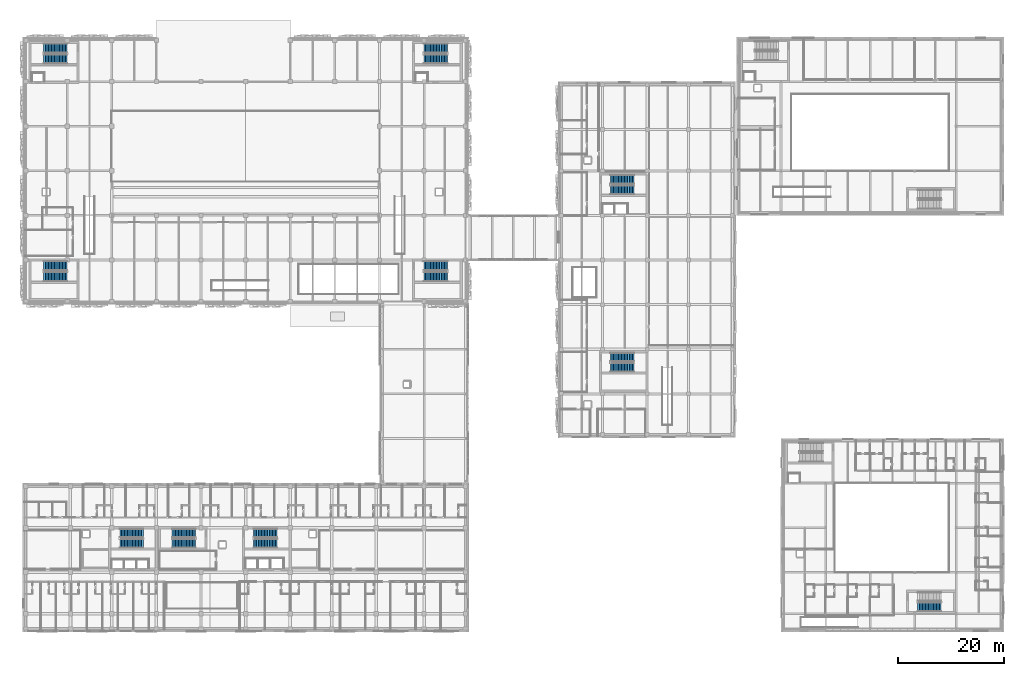
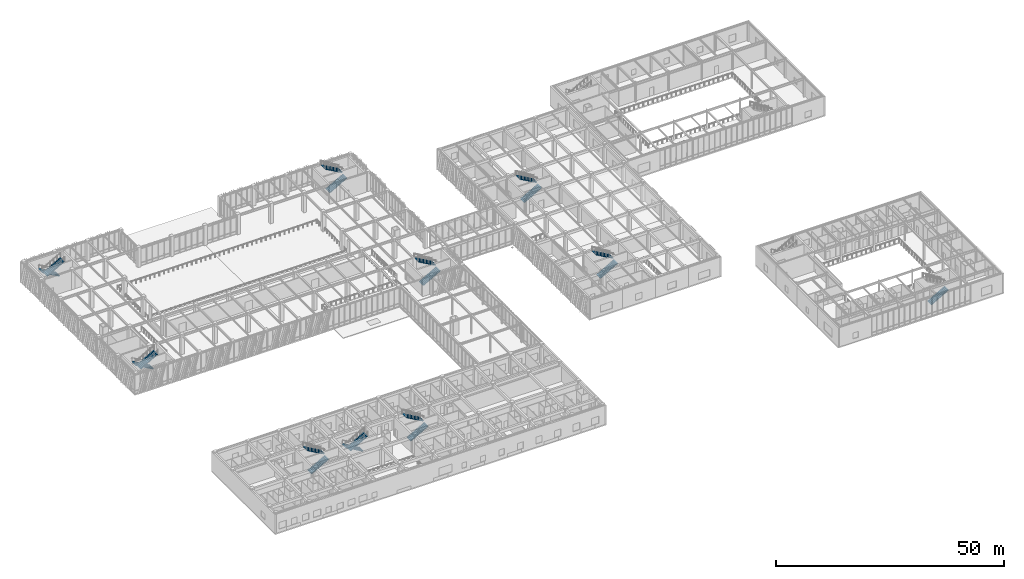
# One storey, part 121 of 139: 19 stair flights, 10 elements without a shape of their own.
"""IFC4 building model written with IfcOpenShell, lengths in metres."""

from ifc_helpers import new_model, si_unit, direction, frame, origin, place, context, subcontext, project, spatial, polyline, outline, extrude, material, type_object, element, aggregate, save


model = new_model("IFC4")

# Units and contexts
model_context = context("Model", 3, precision=1e-05, world=origin(), true_north=direction((0.0, 1.0)))
body_context = subcontext(model_context, "Body", "Model", "MODEL_VIEW")
ifc_project = project(units=[si_unit("LENGTHUNIT", "METRE"), si_unit("AREAUNIT", "SQUARE_METRE"), si_unit("VOLUMEUNIT", "CUBIC_METRE"), si_unit("PLANEANGLEUNIT", "RADIAN"), si_unit("MASSUNIT", "GRAM", prefix="KILO")], contexts=[model_context])

# Site, building, storey
site_placement = place(None, origin())
site = spatial("IfcSite", under=ifc_project, at=site_placement, CompositionType="ELEMENT")
building_placement = place(site_placement, origin())
building = spatial("IfcBuilding", under=site, at=building_placement, Name="Zayran Congress Hotel", CompositionType="ELEMENT")
storey_placement = place(building_placement, frame((0.0, 0.0, 5.39990234375)))
storey = spatial("IfcBuildingStorey", under=building, at=storey_placement, Name="L01", CompositionType="ELEMENT", Elevation=5.39990234375)

# Stair, stair flights
ifc_material = material(Name="Concrete C32/40", Category="concrete")
stair_type_1 = type_object("IfcStairType", Name="TP-STR-1700-54", PredefinedType="USERDEFINED", material=ifc_material)
stair_1_placement = place(storey_placement, origin())
stair_1 = element("IfcStair", 1, at=stair_1_placement, inside=storey, type_object=stair_type_1, Name="L01 ST-01", ObjectType="TWO_RETURN_STAIR", PredefinedType="USERDEFINED")
stair_flight_type_1 = type_object("IfcStairFlightType", Name="TP-STF-1700-54", PredefinedType="STRAIGHT", material=ifc_material)
stair_flight_1_placement = place(storey_placement, frame((26.699951171875, 22.610107421875, 0.0), z_axis=(0.0, 0.0, 1.0), x_axis=(1.0, 0.0, 0.0)))
stair_flight_1 = element("IfcStairFlight", 2, at=stair_flight_1_placement, type_object=stair_flight_type_1, Name="ST-01 flight 1", NumberOfRisers=16, NumberOfTreads=15, PredefinedType="STRAIGHT", RiserHeight=0.16875, TreadLength=0.295, context=body_context, shape_type="SweptSolid", body=[
    extrude(outline(polyline([(0.0, 0.0), (0.0, 0.168701171875), (0.294921875, 0.168701171875), (0.294921875, 0.33740234375), (0.590087890625, 0.33740234375), (0.590087890625, 0.50634765625), (0.885009765625, 0.50634765625), (0.885009765625, 0.675048828125), (1.179931640625, 0.675048828125), (1.179931640625, 0.84375), (1.47509765625, 0.84375), (1.47509765625, 1.012451171875), (1.77001953125, 1.012451171875), (1.77001953125, 1.18115234375), (2.06494140625, 1.18115234375), (2.06494140625, 1.35009765625), (2.360107421875, 1.35009765625), (2.360107421875, 1.518798828125), (2.655029296875, 1.518798828125), (2.655029296875, 1.6875), (2.949951171875, 1.6875), (2.949951171875, 1.856201171875), (3.2451171875, 1.856201171875), (3.2451171875, 2.02490234375), (3.5400390625, 2.02490234375), (3.5400390625, 2.19384765625), (3.8349609375, 2.19384765625), (3.8349609375, 2.362548828125), (4.1298828125, 2.362548828125), (4.1298828125, 2.53125), (4.425048828125, 2.53125), (4.425048828125, 2.699951171875), (4.425048828125, 2.358642578125), (0.302001953125, 0.0), (0.0, 0.0)])), frame((0.0, 0.85009765625, 0.0), z_axis=(0.0, -1.0, 0.0), x_axis=(1.0, 0.0, 0.0)), (0.0, 0.0, 1.0), 1.699951171875),
])
stair_flight_2_placement = place(storey_placement, frame((31.125, 24.550048828125, 2.7001953125), z_axis=(0.0, 0.0, 1.0), x_axis=(-1.0, 0.0, 0.0)))
stair_flight_2 = element("IfcStairFlight", 3, at=stair_flight_2_placement, type_object=stair_flight_type_1, Name="ST-01 flight 2", NumberOfRisers=16, NumberOfTreads=15, PredefinedType="STRAIGHT", RiserHeight=0.16875, TreadLength=0.295, context=body_context, shape_type="SweptSolid", body=[
    extrude(outline(polyline([(0.0, 0.0), (0.0, 0.168701171875), (0.294921875, 0.168701171875), (0.294921875, 0.33740234375), (0.590087890625, 0.33740234375), (0.590087890625, 0.50634765625), (0.885009765625, 0.50634765625), (0.885009765625, 0.675048828125), (1.179931640625, 0.675048828125), (1.179931640625, 0.84375), (1.47509765625, 0.84375), (1.47509765625, 1.012451171875), (1.77001953125, 1.012451171875), (1.77001953125, 1.18115234375), (2.06494140625, 1.18115234375), (2.06494140625, 1.35009765625), (2.360107421875, 1.35009765625), (2.360107421875, 1.518798828125), (2.655029296875, 1.518798828125), (2.655029296875, 1.6875), (2.949951171875, 1.6875), (2.949951171875, 1.856201171875), (3.2451171875, 1.856201171875), (3.2451171875, 2.02490234375), (3.5400390625, 2.02490234375), (3.5400390625, 2.19384765625), (3.8349609375, 2.19384765625), (3.8349609375, 2.362548828125), (4.1298828125, 2.362548828125), (4.1298828125, 2.53125), (4.425048828125, 2.53125), (4.425048828125, 2.699951171875), (4.425048828125, 2.358642578125), (0.302001953125, 0.0), (0.0, 0.0)])), frame((0.0, 0.85009765625, 0.0), z_axis=(0.0, -1.0, 0.0), x_axis=(1.0, 0.0, 0.0)), (0.0, 0.0, 1.0), 1.699951171875),
])
aggregate(stair_1, [stair_flight_1, stair_flight_2])

stair_2_placement = place(storey_placement, origin())
stair_2 = element("IfcStair", 4, at=stair_2_placement, inside=storey, type_object=stair_type_1, Name="L01 ST-02", ObjectType="TWO_RETURN_STAIR", PredefinedType="USERDEFINED")
stair_flight_3_placement = place(storey_placement, frame((51.89990234375, 22.610107421875, 0.0), z_axis=(0.0, 0.0, 1.0), x_axis=(1.0, 0.0, 0.0)))
stair_flight_3 = element("IfcStairFlight", 5, at=stair_flight_3_placement, type_object=stair_flight_type_1, Name="ST-02 flight 1", NumberOfRisers=16, NumberOfTreads=15, PredefinedType="STRAIGHT", RiserHeight=0.16875, TreadLength=0.295, context=body_context, shape_type="SweptSolid", body=[
    extrude(outline(polyline([(0.0, 0.0), (0.0, 0.168701171875), (0.294921875, 0.168701171875), (0.294921875, 0.33740234375), (0.590087890625, 0.33740234375), (0.590087890625, 0.50634765625), (0.885009765625, 0.50634765625), (0.885009765625, 0.675048828125), (1.179931640625, 0.675048828125), (1.179931640625, 0.84375), (1.47509765625, 0.84375), (1.47509765625, 1.012451171875), (1.77001953125, 1.012451171875), (1.77001953125, 1.18115234375), (2.06494140625, 1.18115234375), (2.06494140625, 1.35009765625), (2.360107421875, 1.35009765625), (2.360107421875, 1.518798828125), (2.655029296875, 1.518798828125), (2.655029296875, 1.6875), (2.949951171875, 1.6875), (2.949951171875, 1.856201171875), (3.2451171875, 1.856201171875), (3.2451171875, 2.02490234375), (3.5400390625, 2.02490234375), (3.5400390625, 2.19384765625), (3.8349609375, 2.19384765625), (3.8349609375, 2.362548828125), (4.1298828125, 2.362548828125), (4.1298828125, 2.53125), (4.425048828125, 2.53125), (4.425048828125, 2.699951171875), (4.425048828125, 2.358642578125), (0.302001953125, 0.0), (0.0, 0.0)])), frame((0.0, 0.85009765625, 0.0), z_axis=(0.0, -1.0, 0.0), x_axis=(1.0, 0.0, 0.0)), (0.0, 0.0, 1.0), 1.699951171875),
])
stair_flight_4_placement = place(storey_placement, frame((56.324951171875, 24.550048828125, 2.7001953125), z_axis=(0.0, 0.0, 1.0), x_axis=(-1.0, 0.0, 0.0)))
stair_flight_4 = element("IfcStairFlight", 6, at=stair_flight_4_placement, type_object=stair_flight_type_1, Name="ST-02 flight 2", NumberOfRisers=16, NumberOfTreads=15, PredefinedType="STRAIGHT", RiserHeight=0.16875, TreadLength=0.295, context=body_context, shape_type="SweptSolid", body=[
    extrude(outline(polyline([(0.0, 0.0), (0.0, 0.168701171875), (0.294921875, 0.168701171875), (0.294921875, 0.33740234375), (0.590087890625, 0.33740234375), (0.590087890625, 0.50634765625), (0.885009765625, 0.50634765625), (0.885009765625, 0.675048828125), (1.179931640625, 0.675048828125), (1.179931640625, 0.84375), (1.47509765625, 0.84375), (1.47509765625, 1.012451171875), (1.77001953125, 1.012451171875), (1.77001953125, 1.18115234375), (2.06494140625, 1.18115234375), (2.06494140625, 1.35009765625), (2.360107421875, 1.35009765625), (2.360107421875, 1.518798828125), (2.655029296875, 1.518798828125), (2.655029296875, 1.6875), (2.949951171875, 1.6875), (2.949951171875, 1.856201171875), (3.2451171875, 1.856201171875), (3.2451171875, 2.02490234375), (3.5400390625, 2.02490234375), (3.5400390625, 2.19384765625), (3.8349609375, 2.19384765625), (3.8349609375, 2.362548828125), (4.1298828125, 2.362548828125), (4.1298828125, 2.53125), (4.425048828125, 2.53125), (4.425048828125, 2.699951171875), (4.425048828125, 2.358642578125), (0.302001953125, 0.0), (0.0, 0.0)])), frame((0.0, 0.85009765625, 0.0), z_axis=(0.0, -1.0, 0.0), x_axis=(1.0, 0.0, 0.0)), (0.0, 0.0, 1.0), 1.699951171875),
])
aggregate(stair_2, [stair_flight_3, stair_flight_4])

stair_3_placement = place(storey_placement, origin())
stair_3 = element("IfcStair", 7, at=stair_3_placement, inside=storey, type_object=stair_type_1, Name="L01 ST-13", ObjectType="TWO_RETURN_STAIR", PredefinedType="USERDEFINED")
stair_flight_5_placement = place(storey_placement, frame((41.0, 24.550048828125, 0.0), z_axis=(0.0, 0.0, 1.0), x_axis=(-1.0, 0.0, 0.0)))
stair_flight_5 = element("IfcStairFlight", 8, at=stair_flight_5_placement, type_object=stair_flight_type_1, Name="ST-13 flight 1", NumberOfRisers=16, NumberOfTreads=15, PredefinedType="STRAIGHT", RiserHeight=0.16875, TreadLength=0.295, context=body_context, shape_type="SweptSolid", body=[
    extrude(outline(polyline([(0.0, 0.0), (0.0, 0.168701171875), (0.294921875, 0.168701171875), (0.294921875, 0.33740234375), (0.590087890625, 0.33740234375), (0.590087890625, 0.50634765625), (0.885009765625, 0.50634765625), (0.885009765625, 0.675048828125), (1.179931640625, 0.675048828125), (1.179931640625, 0.84375), (1.47509765625, 0.84375), (1.47509765625, 1.012451171875), (1.77001953125, 1.012451171875), (1.77001953125, 1.18115234375), (2.06494140625, 1.18115234375), (2.06494140625, 1.35009765625), (2.360107421875, 1.35009765625), (2.360107421875, 1.518798828125), (2.655029296875, 1.518798828125), (2.655029296875, 1.6875), (2.949951171875, 1.6875), (2.949951171875, 1.856201171875), (3.2451171875, 1.856201171875), (3.2451171875, 2.02490234375), (3.5400390625, 2.02490234375), (3.5400390625, 2.19384765625), (3.8349609375, 2.19384765625), (3.8349609375, 2.362548828125), (4.1298828125, 2.362548828125), (4.1298828125, 2.53125), (4.425048828125, 2.53125), (4.425048828125, 2.699951171875), (4.425048828125, 2.358642578125), (0.302001953125, 0.0), (0.0, 0.0)])), frame((0.0, 0.85009765625, 0.0), z_axis=(0.0, -1.0, 0.0), x_axis=(1.0, 0.0, 0.0)), (0.0, 0.0, 1.0), 1.699951171875),
])
stair_flight_6_placement = place(storey_placement, frame((36.574951171875, 22.610107421875, 2.7001953125), z_axis=(0.0, 0.0, 1.0), x_axis=(1.0, 0.0, 0.0)))
stair_flight_6 = element("IfcStairFlight", 9, at=stair_flight_6_placement, type_object=stair_flight_type_1, Name="ST-13 flight 2", NumberOfRisers=16, NumberOfTreads=15, PredefinedType="STRAIGHT", RiserHeight=0.16875, TreadLength=0.295, context=body_context, shape_type="SweptSolid", body=[
    extrude(outline(polyline([(0.0, 0.0), (0.0, 0.168701171875), (0.294921875, 0.168701171875), (0.294921875, 0.33740234375), (0.590087890625, 0.33740234375), (0.590087890625, 0.50634765625), (0.885009765625, 0.50634765625), (0.885009765625, 0.675048828125), (1.179931640625, 0.675048828125), (1.179931640625, 0.84375), (1.47509765625, 0.84375), (1.47509765625, 1.012451171875), (1.77001953125, 1.012451171875), (1.77001953125, 1.18115234375), (2.06494140625, 1.18115234375), (2.06494140625, 1.35009765625), (2.360107421875, 1.35009765625), (2.360107421875, 1.518798828125), (2.655029296875, 1.518798828125), (2.655029296875, 1.6875), (2.949951171875, 1.6875), (2.949951171875, 1.856201171875), (3.2451171875, 1.856201171875), (3.2451171875, 2.02490234375), (3.5400390625, 2.02490234375), (3.5400390625, 2.19384765625), (3.8349609375, 2.19384765625), (3.8349609375, 2.362548828125), (4.1298828125, 2.362548828125), (4.1298828125, 2.53125), (4.425048828125, 2.53125), (4.425048828125, 2.699951171875), (4.425048828125, 2.358642578125), (0.302001953125, 0.0), (0.0, 0.0)])), frame((0.0, 0.85009765625, 0.0), z_axis=(0.0, -1.0, 0.0), x_axis=(1.0, 0.0, 0.0)), (0.0, 0.0, 1.0), 1.699951171875),
])
aggregate(stair_3, [stair_flight_5, stair_flight_6])

stair_4_placement = place(storey_placement, origin())
stair_4 = element("IfcStair", 10, at=stair_4_placement, inside=storey, type_object=stair_type_1, Name="L01 ST-07", ObjectType="TWO_RETURN_STAIR", PredefinedType="USERDEFINED")
stair_flight_7_placement = place(storey_placement, frame((119.10009765625, 89.2099609375, 0.0), z_axis=(0.0, 0.0, 1.0), x_axis=(1.0, 0.0, 0.0)))
stair_flight_7 = element("IfcStairFlight", 11, at=stair_flight_7_placement, type_object=stair_flight_type_1, Name="ST-07 flight 1", NumberOfRisers=16, NumberOfTreads=15, PredefinedType="STRAIGHT", RiserHeight=0.16875, TreadLength=0.295, context=body_context, shape_type="SweptSolid", body=[
    extrude(outline(polyline([(0.0, 0.0), (0.0, 0.168701171875), (0.294921875, 0.168701171875), (0.294921875, 0.33740234375), (0.590087890625, 0.33740234375), (0.590087890625, 0.50634765625), (0.885009765625, 0.50634765625), (0.885009765625, 0.675048828125), (1.179931640625, 0.675048828125), (1.179931640625, 0.84375), (1.47509765625, 0.84375), (1.47509765625, 1.012451171875), (1.77001953125, 1.012451171875), (1.77001953125, 1.18115234375), (2.06494140625, 1.18115234375), (2.06494140625, 1.35009765625), (2.360107421875, 1.35009765625), (2.360107421875, 1.518798828125), (2.655029296875, 1.518798828125), (2.655029296875, 1.6875), (2.949951171875, 1.6875), (2.949951171875, 1.856201171875), (3.2451171875, 1.856201171875), (3.2451171875, 2.02490234375), (3.5400390625, 2.02490234375), (3.5400390625, 2.19384765625), (3.8349609375, 2.19384765625), (3.8349609375, 2.362548828125), (4.1298828125, 2.362548828125), (4.1298828125, 2.53125), (4.425048828125, 2.53125), (4.425048828125, 2.699951171875), (4.425048828125, 2.358642578125), (0.302001953125, 0.0), (0.0, 0.0)])), frame((0.0, 0.85009765625, 0.0), z_axis=(0.0, -1.0, 0.0), x_axis=(1.0, 0.0, 0.0)), (0.0, 0.0, 1.0), 1.699951171875),
])
stair_flight_8_placement = place(storey_placement, frame((123.52490234375, 91.14990234375, 2.7001953125), z_axis=(0.0, 0.0, 1.0), x_axis=(-1.0, 0.0, 0.0)))
stair_flight_8 = element("IfcStairFlight", 12, at=stair_flight_8_placement, type_object=stair_flight_type_1, Name="ST-07 flight 2", NumberOfRisers=16, NumberOfTreads=15, PredefinedType="STRAIGHT", RiserHeight=0.16875, TreadLength=0.295, context=body_context, shape_type="SweptSolid", body=[
    extrude(outline(polyline([(0.0, 0.0), (0.0, 0.168701171875), (0.294921875, 0.168701171875), (0.294921875, 0.33740234375), (0.590087890625, 0.33740234375), (0.590087890625, 0.50634765625), (0.885009765625, 0.50634765625), (0.885009765625, 0.675048828125), (1.179931640625, 0.675048828125), (1.179931640625, 0.84375), (1.47509765625, 0.84375), (1.47509765625, 1.012451171875), (1.77001953125, 1.012451171875), (1.77001953125, 1.18115234375), (2.06494140625, 1.18115234375), (2.06494140625, 1.35009765625), (2.360107421875, 1.35009765625), (2.360107421875, 1.518798828125), (2.655029296875, 1.518798828125), (2.655029296875, 1.6875), (2.949951171875, 1.6875), (2.949951171875, 1.856201171875), (3.2451171875, 1.856201171875), (3.2451171875, 2.02490234375), (3.5400390625, 2.02490234375), (3.5400390625, 2.19384765625), (3.8349609375, 2.19384765625), (3.8349609375, 2.362548828125), (4.1298828125, 2.362548828125), (4.1298828125, 2.53125), (4.425048828125, 2.53125), (4.425048828125, 2.699951171875), (4.425048828125, 2.358642578125), (0.302001953125, 0.0), (0.0, 0.0)])), frame((0.0, 0.85009765625, 0.0), z_axis=(0.0, -1.0, 0.0), x_axis=(1.0, 0.0, 0.0)), (0.0, 0.0, 1.0), 1.699951171875),
])
aggregate(stair_4, [stair_flight_7, stair_flight_8])

stair_5_placement = place(storey_placement, origin())
stair_5 = element("IfcStair", 13, at=stair_5_placement, inside=storey, type_object=stair_type_1, Name="L01 ST-08", ObjectType="TWO_RETURN_STAIR", PredefinedType="USERDEFINED")
stair_flight_9_placement = place(storey_placement, frame((119.10009765625, 55.760009765625, 0.0), z_axis=(0.0, 0.0, 1.0), x_axis=(1.0, 0.0, 0.0)))
stair_flight_9 = element("IfcStairFlight", 14, at=stair_flight_9_placement, type_object=stair_flight_type_1, Name="ST-08 flight 1", NumberOfRisers=16, NumberOfTreads=15, PredefinedType="STRAIGHT", RiserHeight=0.16875, TreadLength=0.295, context=body_context, shape_type="SweptSolid", body=[
    extrude(outline(polyline([(0.0, 0.0), (0.0, 0.168701171875), (0.294921875, 0.168701171875), (0.294921875, 0.33740234375), (0.590087890625, 0.33740234375), (0.590087890625, 0.50634765625), (0.885009765625, 0.50634765625), (0.885009765625, 0.675048828125), (1.179931640625, 0.675048828125), (1.179931640625, 0.84375), (1.47509765625, 0.84375), (1.47509765625, 1.012451171875), (1.77001953125, 1.012451171875), (1.77001953125, 1.18115234375), (2.06494140625, 1.18115234375), (2.06494140625, 1.35009765625), (2.360107421875, 1.35009765625), (2.360107421875, 1.518798828125), (2.655029296875, 1.518798828125), (2.655029296875, 1.6875), (2.949951171875, 1.6875), (2.949951171875, 1.856201171875), (3.2451171875, 1.856201171875), (3.2451171875, 2.02490234375), (3.5400390625, 2.02490234375), (3.5400390625, 2.19384765625), (3.8349609375, 2.19384765625), (3.8349609375, 2.362548828125), (4.1298828125, 2.362548828125), (4.1298828125, 2.53125), (4.425048828125, 2.53125), (4.425048828125, 2.699951171875), (4.425048828125, 2.358642578125), (0.302001953125, 0.0), (0.0, 0.0)])), frame((0.0, 0.85009765625, 0.0), z_axis=(0.0, -1.0, 0.0), x_axis=(1.0, 0.0, 0.0)), (0.0, 0.0, 1.0), 1.699951171875),
])
stair_flight_10_placement = place(storey_placement, frame((123.52490234375, 57.699951171875, 2.7001953125), z_axis=(0.0, 0.0, 1.0), x_axis=(-1.0, 0.0, 0.0)))
stair_flight_10 = element("IfcStairFlight", 15, at=stair_flight_10_placement, type_object=stair_flight_type_1, Name="ST-08 flight 2", NumberOfRisers=16, NumberOfTreads=15, PredefinedType="STRAIGHT", RiserHeight=0.16875, TreadLength=0.295, context=body_context, shape_type="SweptSolid", body=[
    extrude(outline(polyline([(0.0, 0.0), (0.0, 0.168701171875), (0.294921875, 0.168701171875), (0.294921875, 0.33740234375), (0.590087890625, 0.33740234375), (0.590087890625, 0.50634765625), (0.885009765625, 0.50634765625), (0.885009765625, 0.675048828125), (1.179931640625, 0.675048828125), (1.179931640625, 0.84375), (1.47509765625, 0.84375), (1.47509765625, 1.012451171875), (1.77001953125, 1.012451171875), (1.77001953125, 1.18115234375), (2.06494140625, 1.18115234375), (2.06494140625, 1.35009765625), (2.360107421875, 1.35009765625), (2.360107421875, 1.518798828125), (2.655029296875, 1.518798828125), (2.655029296875, 1.6875), (2.949951171875, 1.6875), (2.949951171875, 1.856201171875), (3.2451171875, 1.856201171875), (3.2451171875, 2.02490234375), (3.5400390625, 2.02490234375), (3.5400390625, 2.19384765625), (3.8349609375, 2.19384765625), (3.8349609375, 2.362548828125), (4.1298828125, 2.362548828125), (4.1298828125, 2.53125), (4.425048828125, 2.53125), (4.425048828125, 2.699951171875), (4.425048828125, 2.358642578125), (0.302001953125, 0.0), (0.0, 0.0)])), frame((0.0, 0.85009765625, 0.0), z_axis=(0.0, -1.0, 0.0), x_axis=(1.0, 0.0, 0.0)), (0.0, 0.0, 1.0), 1.699951171875),
])
aggregate(stair_5, [stair_flight_9, stair_flight_10])

# Stair, stair flight
stair_6_placement = place(storey_placement, origin())
stair_6 = element("IfcStair", 16, at=stair_6_placement, inside=storey, type_object=stair_type_1, Name="L01 ST-12", ObjectType="TWO_RETURN_STAIR", PredefinedType="USERDEFINED")
stair_flight_11_placement = place(storey_placement, frame((176.949951171875, 10.64990234375, 0.0), z_axis=(0.0, 0.0, 1.0), x_axis=(1.0, 0.0, 0.0)))
stair_flight_11 = element("IfcStairFlight", 17, at=stair_flight_11_placement, type_object=stair_flight_type_1, Name="ST-12 flight 1", NumberOfRisers=16, NumberOfTreads=15, PredefinedType="STRAIGHT", RiserHeight=0.16875, TreadLength=0.295, context=body_context, shape_type="SweptSolid", body=[
    extrude(outline(polyline([(0.0, 0.0), (0.0, 0.168701171875), (0.294921875, 0.168701171875), (0.294921875, 0.33740234375), (0.590087890625, 0.33740234375), (0.590087890625, 0.50634765625), (0.885009765625, 0.50634765625), (0.885009765625, 0.675048828125), (1.179931640625, 0.675048828125), (1.179931640625, 0.84375), (1.47509765625, 0.84375), (1.47509765625, 1.012451171875), (1.77001953125, 1.012451171875), (1.77001953125, 1.18115234375), (2.06494140625, 1.18115234375), (2.06494140625, 1.35009765625), (2.360107421875, 1.35009765625), (2.360107421875, 1.518798828125), (2.655029296875, 1.518798828125), (2.655029296875, 1.6875), (2.949951171875, 1.6875), (2.949951171875, 1.856201171875), (3.2451171875, 1.856201171875), (3.2451171875, 2.02490234375), (3.5400390625, 2.02490234375), (3.5400390625, 2.19384765625), (3.8349609375, 2.19384765625), (3.8349609375, 2.362548828125), (4.1298828125, 2.362548828125), (4.1298828125, 2.53125), (4.425048828125, 2.53125), (4.425048828125, 2.699951171875), (4.425048828125, 2.358642578125), (0.302001953125, 0.0), (0.0, 0.0)])), frame((0.0, 0.85009765625, 0.0), z_axis=(0.0, -1.0, 0.0), x_axis=(1.0, 0.0, 0.0)), (0.0, 0.0, 1.0), 1.699951171875),
])
aggregate(stair_6, [stair_flight_11])

# Stair, stair flights
stair_type_2 = type_object("IfcStairType", Name="TP-STR-1800-54", PredefinedType="USERDEFINED", material=ifc_material)
stair_7_placement = place(storey_placement, origin())
stair_7 = element("IfcStair", 18, at=stair_7_placement, inside=storey, type_object=stair_type_2, Name="L01 ST-03", ObjectType="TWO_RETURN_STAIR", PredefinedType="USERDEFINED")
stair_flight_type_2 = type_object("IfcStairFlightType", Name="TP-STF-1800-54", PredefinedType="STRAIGHT", material=ifc_material)
stair_flight_12_placement = place(storey_placement, frame((16.800048828125, 115.89990234375, 0.0), z_axis=(0.0, 0.0, 1.0), x_axis=(-1.0, 0.0, 0.0)))
stair_flight_12 = element("IfcStairFlight", 19, at=stair_flight_12_placement, type_object=stair_flight_type_2, Name="ST-03 flight 1", NumberOfRisers=16, NumberOfTreads=15, PredefinedType="STRAIGHT", RiserHeight=0.16875, TreadLength=0.295, context=body_context, shape_type="SweptSolid", body=[
    extrude(outline(polyline([(0.0, 0.0), (0.0, 0.168701171875), (0.294921875, 0.168701171875), (0.294921875, 0.33740234375), (0.590087890625, 0.33740234375), (0.590087890625, 0.50634765625), (0.885009765625, 0.50634765625), (0.885009765625, 0.675048828125), (1.179931640625, 0.675048828125), (1.179931640625, 0.84375), (1.47509765625, 0.84375), (1.47509765625, 1.012451171875), (1.77001953125, 1.012451171875), (1.77001953125, 1.18115234375), (2.06494140625, 1.18115234375), (2.06494140625, 1.35009765625), (2.360107421875, 1.35009765625), (2.360107421875, 1.518798828125), (2.655029296875, 1.518798828125), (2.655029296875, 1.6875), (2.949951171875, 1.6875), (2.949951171875, 1.856201171875), (3.2451171875, 1.856201171875), (3.2451171875, 2.02490234375), (3.5400390625, 2.02490234375), (3.5400390625, 2.19384765625), (3.8349609375, 2.19384765625), (3.8349609375, 2.362548828125), (4.1298828125, 2.362548828125), (4.1298828125, 2.53125), (4.425048828125, 2.53125), (4.425048828125, 2.699951171875), (4.425048828125, 2.358642578125), (0.302001953125, 0.0), (0.0, 0.0)])), frame((0.0, 0.89990234375, 0.0), z_axis=(0.0, -1.0, 0.0), x_axis=(1.0, 0.0, 0.0)), (0.0, 0.0, 1.0), 1.800048828125),
])
stair_flight_13_placement = place(storey_placement, frame((12.375, 113.860107421875, 2.7001953125), z_axis=(0.0, 0.0, 1.0), x_axis=(1.0, 0.0, 0.0)))
stair_flight_13 = element("IfcStairFlight", 20, at=stair_flight_13_placement, type_object=stair_flight_type_2, Name="ST-03 flight 2", NumberOfRisers=16, NumberOfTreads=15, PredefinedType="STRAIGHT", RiserHeight=0.16875, TreadLength=0.295, context=body_context, shape_type="SweptSolid", body=[
    extrude(outline(polyline([(0.0, 0.0), (0.0, 0.168701171875), (0.294921875, 0.168701171875), (0.294921875, 0.33740234375), (0.590087890625, 0.33740234375), (0.590087890625, 0.50634765625), (0.885009765625, 0.50634765625), (0.885009765625, 0.675048828125), (1.179931640625, 0.675048828125), (1.179931640625, 0.84375), (1.47509765625, 0.84375), (1.47509765625, 1.012451171875), (1.77001953125, 1.012451171875), (1.77001953125, 1.18115234375), (2.06494140625, 1.18115234375), (2.06494140625, 1.35009765625), (2.360107421875, 1.35009765625), (2.360107421875, 1.518798828125), (2.655029296875, 1.518798828125), (2.655029296875, 1.6875), (2.949951171875, 1.6875), (2.949951171875, 1.856201171875), (3.2451171875, 1.856201171875), (3.2451171875, 2.02490234375), (3.5400390625, 2.02490234375), (3.5400390625, 2.19384765625), (3.8349609375, 2.19384765625), (3.8349609375, 2.362548828125), (4.1298828125, 2.362548828125), (4.1298828125, 2.53125), (4.425048828125, 2.53125), (4.425048828125, 2.699951171875), (4.425048828125, 2.358642578125), (0.302001953125, 0.0), (0.0, 0.0)])), frame((0.0, 0.89990234375, 0.0), z_axis=(0.0, -1.0, 0.0), x_axis=(1.0, 0.0, 0.0)), (0.0, 0.0, 1.0), 1.800048828125),
])
aggregate(stair_7, [stair_flight_12, stair_flight_13])

stair_8_placement = place(storey_placement, origin())
stair_8 = element("IfcStair", 21, at=stair_8_placement, inside=storey, type_object=stair_type_2, Name="L01 ST-04", ObjectType="TWO_RETURN_STAIR", PredefinedType="USERDEFINED")
stair_flight_14_placement = place(storey_placement, frame((84.0, 113.860107421875, 0.0), z_axis=(0.0, 0.0, 1.0), x_axis=(1.0, 0.0, 0.0)))
stair_flight_14 = element("IfcStairFlight", 22, at=stair_flight_14_placement, type_object=stair_flight_type_2, Name="ST-04 flight 1", NumberOfRisers=16, NumberOfTreads=15, PredefinedType="STRAIGHT", RiserHeight=0.16875, TreadLength=0.295, context=body_context, shape_type="SweptSolid", body=[
    extrude(outline(polyline([(0.0, 0.0), (0.0, 0.168701171875), (0.294921875, 0.168701171875), (0.294921875, 0.33740234375), (0.590087890625, 0.33740234375), (0.590087890625, 0.50634765625), (0.885009765625, 0.50634765625), (0.885009765625, 0.675048828125), (1.179931640625, 0.675048828125), (1.179931640625, 0.84375), (1.47509765625, 0.84375), (1.47509765625, 1.012451171875), (1.77001953125, 1.012451171875), (1.77001953125, 1.18115234375), (2.06494140625, 1.18115234375), (2.06494140625, 1.35009765625), (2.360107421875, 1.35009765625), (2.360107421875, 1.518798828125), (2.655029296875, 1.518798828125), (2.655029296875, 1.6875), (2.949951171875, 1.6875), (2.949951171875, 1.856201171875), (3.2451171875, 1.856201171875), (3.2451171875, 2.02490234375), (3.5400390625, 2.02490234375), (3.5400390625, 2.19384765625), (3.8349609375, 2.19384765625), (3.8349609375, 2.362548828125), (4.1298828125, 2.362548828125), (4.1298828125, 2.53125), (4.425048828125, 2.53125), (4.425048828125, 2.699951171875), (4.425048828125, 2.358642578125), (0.302001953125, 0.0), (0.0, 0.0)])), frame((0.0, 0.89990234375, 0.0), z_axis=(0.0, -1.0, 0.0), x_axis=(1.0, 0.0, 0.0)), (0.0, 0.0, 1.0), 1.800048828125),
])
stair_flight_15_placement = place(storey_placement, frame((88.425048828125, 115.89990234375, 2.7001953125), z_axis=(0.0, 0.0, 1.0), x_axis=(-1.0, 0.0, 0.0)))
stair_flight_15 = element("IfcStairFlight", 23, at=stair_flight_15_placement, type_object=stair_flight_type_2, Name="ST-04 flight 2", NumberOfRisers=16, NumberOfTreads=15, PredefinedType="STRAIGHT", RiserHeight=0.16875, TreadLength=0.295, context=body_context, shape_type="SweptSolid", body=[
    extrude(outline(polyline([(0.0, 0.0), (0.0, 0.168701171875), (0.294921875, 0.168701171875), (0.294921875, 0.33740234375), (0.590087890625, 0.33740234375), (0.590087890625, 0.50634765625), (0.885009765625, 0.50634765625), (0.885009765625, 0.675048828125), (1.179931640625, 0.675048828125), (1.179931640625, 0.84375), (1.47509765625, 0.84375), (1.47509765625, 1.012451171875), (1.77001953125, 1.012451171875), (1.77001953125, 1.18115234375), (2.06494140625, 1.18115234375), (2.06494140625, 1.35009765625), (2.360107421875, 1.35009765625), (2.360107421875, 1.518798828125), (2.655029296875, 1.518798828125), (2.655029296875, 1.6875), (2.949951171875, 1.6875), (2.949951171875, 1.856201171875), (3.2451171875, 1.856201171875), (3.2451171875, 2.02490234375), (3.5400390625, 2.02490234375), (3.5400390625, 2.19384765625), (3.8349609375, 2.19384765625), (3.8349609375, 2.362548828125), (4.1298828125, 2.362548828125), (4.1298828125, 2.53125), (4.425048828125, 2.53125), (4.425048828125, 2.699951171875), (4.425048828125, 2.358642578125), (0.302001953125, 0.0), (0.0, 0.0)])), frame((0.0, 0.89990234375, 0.0), z_axis=(0.0, -1.0, 0.0), x_axis=(1.0, 0.0, 0.0)), (0.0, 0.0, 1.0), 1.800048828125),
])
aggregate(stair_8, [stair_flight_14, stair_flight_15])

stair_9_placement = place(storey_placement, origin())
stair_9 = element("IfcStair", 24, at=stair_9_placement, inside=storey, type_object=stair_type_2, Name="L01 ST-05", ObjectType="TWO_RETURN_STAIR", PredefinedType="USERDEFINED")
stair_flight_16_placement = place(storey_placement, frame((16.800048828125, 74.89990234375, 0.0), z_axis=(0.0, 0.0, 1.0), x_axis=(-1.0, 0.0, 0.0)))
stair_flight_16 = element("IfcStairFlight", 25, at=stair_flight_16_placement, type_object=stair_flight_type_2, Name="ST-05 flight 1", NumberOfRisers=16, NumberOfTreads=15, PredefinedType="STRAIGHT", RiserHeight=0.16875, TreadLength=0.295, context=body_context, shape_type="SweptSolid", body=[
    extrude(outline(polyline([(0.0, 0.0), (0.0, 0.168701171875), (0.294921875, 0.168701171875), (0.294921875, 0.33740234375), (0.590087890625, 0.33740234375), (0.590087890625, 0.50634765625), (0.885009765625, 0.50634765625), (0.885009765625, 0.675048828125), (1.179931640625, 0.675048828125), (1.179931640625, 0.84375), (1.47509765625, 0.84375), (1.47509765625, 1.012451171875), (1.77001953125, 1.012451171875), (1.77001953125, 1.18115234375), (2.06494140625, 1.18115234375), (2.06494140625, 1.35009765625), (2.360107421875, 1.35009765625), (2.360107421875, 1.518798828125), (2.655029296875, 1.518798828125), (2.655029296875, 1.6875), (2.949951171875, 1.6875), (2.949951171875, 1.856201171875), (3.2451171875, 1.856201171875), (3.2451171875, 2.02490234375), (3.5400390625, 2.02490234375), (3.5400390625, 2.19384765625), (3.8349609375, 2.19384765625), (3.8349609375, 2.362548828125), (4.1298828125, 2.362548828125), (4.1298828125, 2.53125), (4.425048828125, 2.53125), (4.425048828125, 2.699951171875), (4.425048828125, 2.358642578125), (0.302001953125, 0.0), (0.0, 0.0)])), frame((0.0, 0.89990234375, 0.0), z_axis=(0.0, -1.0, 0.0), x_axis=(1.0, 0.0, 0.0)), (0.0, 0.0, 1.0), 1.800048828125),
])
stair_flight_17_placement = place(storey_placement, frame((12.375, 72.860107421875, 2.7001953125), z_axis=(0.0, 0.0, 1.0), x_axis=(1.0, 0.0, 0.0)))
stair_flight_17 = element("IfcStairFlight", 26, at=stair_flight_17_placement, type_object=stair_flight_type_2, Name="ST-05 flight 2", NumberOfRisers=16, NumberOfTreads=15, PredefinedType="STRAIGHT", RiserHeight=0.16875, TreadLength=0.295, context=body_context, shape_type="SweptSolid", body=[
    extrude(outline(polyline([(0.0, 0.0), (0.0, 0.168701171875), (0.294921875, 0.168701171875), (0.294921875, 0.33740234375), (0.590087890625, 0.33740234375), (0.590087890625, 0.50634765625), (0.885009765625, 0.50634765625), (0.885009765625, 0.675048828125), (1.179931640625, 0.675048828125), (1.179931640625, 0.84375), (1.47509765625, 0.84375), (1.47509765625, 1.012451171875), (1.77001953125, 1.012451171875), (1.77001953125, 1.18115234375), (2.06494140625, 1.18115234375), (2.06494140625, 1.35009765625), (2.360107421875, 1.35009765625), (2.360107421875, 1.518798828125), (2.655029296875, 1.518798828125), (2.655029296875, 1.6875), (2.949951171875, 1.6875), (2.949951171875, 1.856201171875), (3.2451171875, 1.856201171875), (3.2451171875, 2.02490234375), (3.5400390625, 2.02490234375), (3.5400390625, 2.19384765625), (3.8349609375, 2.19384765625), (3.8349609375, 2.362548828125), (4.1298828125, 2.362548828125), (4.1298828125, 2.53125), (4.425048828125, 2.53125), (4.425048828125, 2.699951171875), (4.425048828125, 2.358642578125), (0.302001953125, 0.0), (0.0, 0.0)])), frame((0.0, 0.89990234375, 0.0), z_axis=(0.0, -1.0, 0.0), x_axis=(1.0, 0.0, 0.0)), (0.0, 0.0, 1.0), 1.800048828125),
])
aggregate(stair_9, [stair_flight_16, stair_flight_17])

stair_10_placement = place(storey_placement, origin())
stair_10 = element("IfcStair", 27, at=stair_10_placement, inside=storey, type_object=stair_type_2, Name="L01 ST-06", ObjectType="TWO_RETURN_STAIR", PredefinedType="USERDEFINED")
stair_flight_18_placement = place(storey_placement, frame((84.0, 72.860107421875, 0.0), z_axis=(0.0, 0.0, 1.0), x_axis=(1.0, 0.0, 0.0)))
stair_flight_18 = element("IfcStairFlight", 28, at=stair_flight_18_placement, type_object=stair_flight_type_2, Name="ST-06 flight 1", NumberOfRisers=16, NumberOfTreads=15, PredefinedType="STRAIGHT", RiserHeight=0.16875, TreadLength=0.295, context=body_context, shape_type="SweptSolid", body=[
    extrude(outline(polyline([(0.0, 0.0), (0.0, 0.168701171875), (0.294921875, 0.168701171875), (0.294921875, 0.33740234375), (0.590087890625, 0.33740234375), (0.590087890625, 0.50634765625), (0.885009765625, 0.50634765625), (0.885009765625, 0.675048828125), (1.179931640625, 0.675048828125), (1.179931640625, 0.84375), (1.47509765625, 0.84375), (1.47509765625, 1.012451171875), (1.77001953125, 1.012451171875), (1.77001953125, 1.18115234375), (2.06494140625, 1.18115234375), (2.06494140625, 1.35009765625), (2.360107421875, 1.35009765625), (2.360107421875, 1.518798828125), (2.655029296875, 1.518798828125), (2.655029296875, 1.6875), (2.949951171875, 1.6875), (2.949951171875, 1.856201171875), (3.2451171875, 1.856201171875), (3.2451171875, 2.02490234375), (3.5400390625, 2.02490234375), (3.5400390625, 2.19384765625), (3.8349609375, 2.19384765625), (3.8349609375, 2.362548828125), (4.1298828125, 2.362548828125), (4.1298828125, 2.53125), (4.425048828125, 2.53125), (4.425048828125, 2.699951171875), (4.425048828125, 2.358642578125), (0.302001953125, 0.0), (0.0, 0.0)])), frame((0.0, 0.89990234375, 0.0), z_axis=(0.0, -1.0, 0.0), x_axis=(1.0, 0.0, 0.0)), (0.0, 0.0, 1.0), 1.800048828125),
])
stair_flight_19_placement = place(storey_placement, frame((88.425048828125, 74.89990234375, 2.7001953125), z_axis=(0.0, 0.0, 1.0), x_axis=(-1.0, 0.0, 0.0)))
stair_flight_19 = element("IfcStairFlight", 29, at=stair_flight_19_placement, type_object=stair_flight_type_2, Name="ST-06 flight 2", NumberOfRisers=16, NumberOfTreads=15, PredefinedType="STRAIGHT", RiserHeight=0.16875, TreadLength=0.295, context=body_context, shape_type="SweptSolid", body=[
    extrude(outline(polyline([(0.0, 0.0), (0.0, 0.168701171875), (0.294921875, 0.168701171875), (0.294921875, 0.33740234375), (0.590087890625, 0.33740234375), (0.590087890625, 0.50634765625), (0.885009765625, 0.50634765625), (0.885009765625, 0.675048828125), (1.179931640625, 0.675048828125), (1.179931640625, 0.84375), (1.47509765625, 0.84375), (1.47509765625, 1.012451171875), (1.77001953125, 1.012451171875), (1.77001953125, 1.18115234375), (2.06494140625, 1.18115234375), (2.06494140625, 1.35009765625), (2.360107421875, 1.35009765625), (2.360107421875, 1.518798828125), (2.655029296875, 1.518798828125), (2.655029296875, 1.6875), (2.949951171875, 1.6875), (2.949951171875, 1.856201171875), (3.2451171875, 1.856201171875), (3.2451171875, 2.02490234375), (3.5400390625, 2.02490234375), (3.5400390625, 2.19384765625), (3.8349609375, 2.19384765625), (3.8349609375, 2.362548828125), (4.1298828125, 2.362548828125), (4.1298828125, 2.53125), (4.425048828125, 2.53125), (4.425048828125, 2.699951171875), (4.425048828125, 2.358642578125), (0.302001953125, 0.0), (0.0, 0.0)])), frame((0.0, 0.89990234375, 0.0), z_axis=(0.0, -1.0, 0.0), x_axis=(1.0, 0.0, 0.0)), (0.0, 0.0, 1.0), 1.800048828125),
])
aggregate(stair_10, [stair_flight_18, stair_flight_19])

save(model, "model.ifc")
